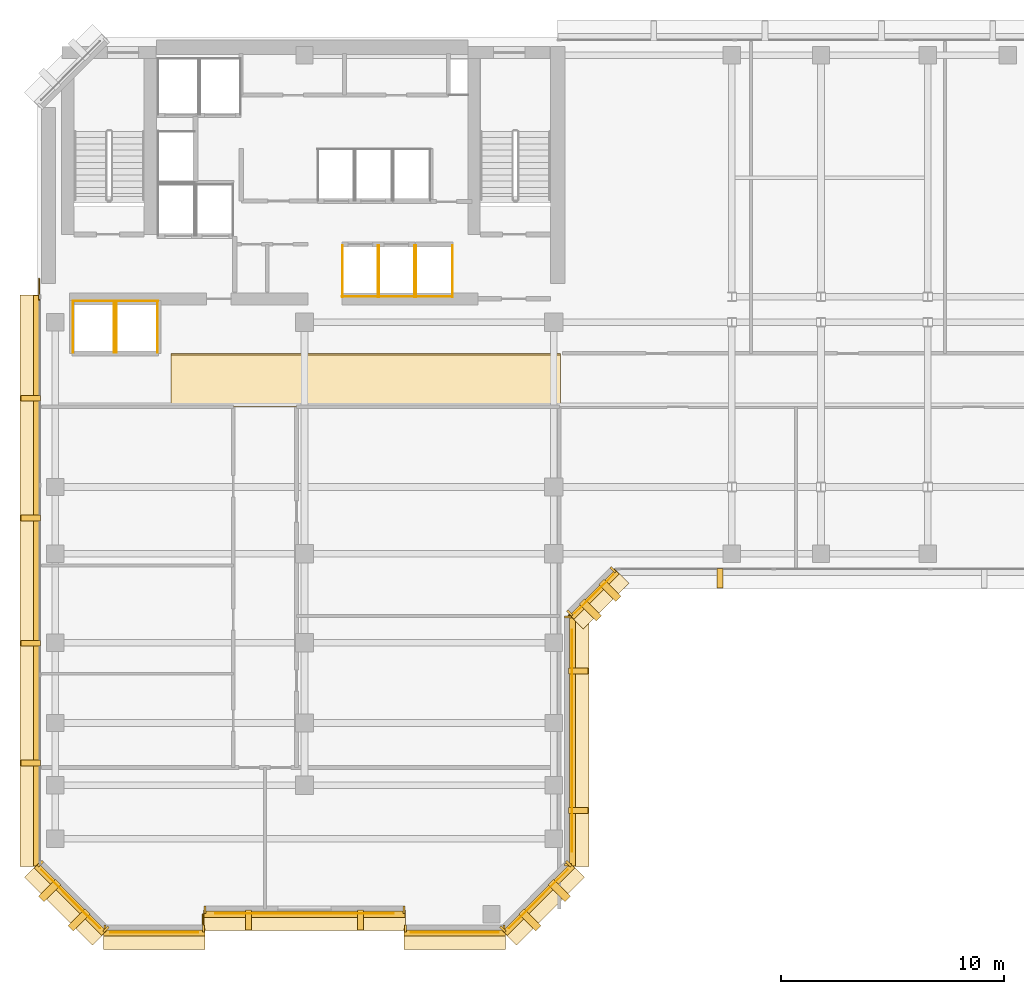
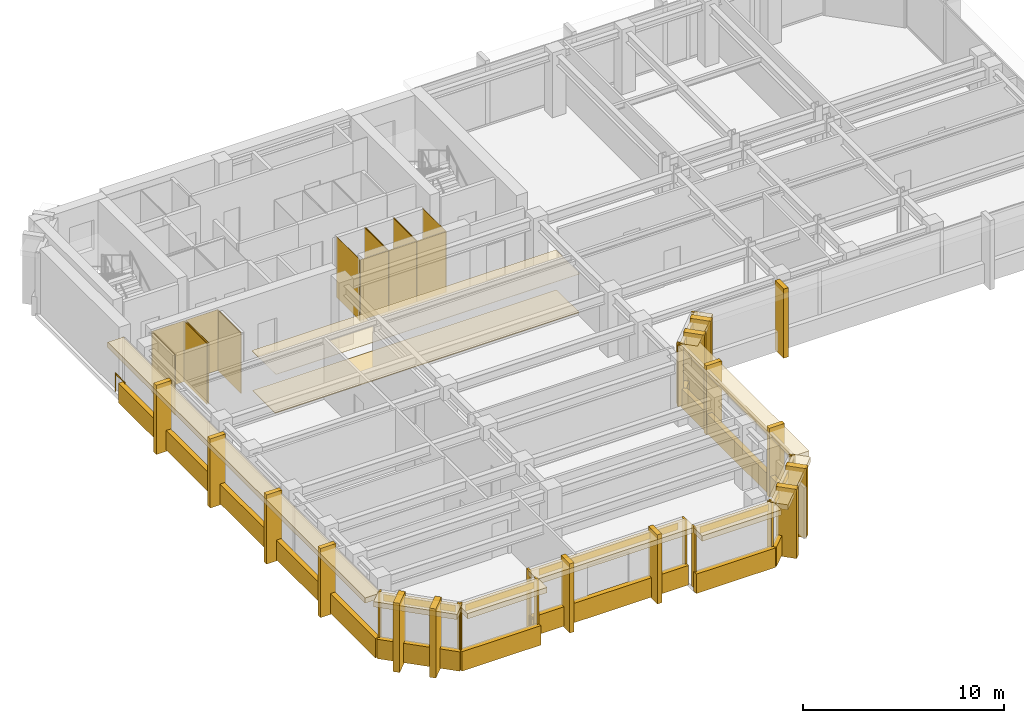
# One storey, part 9 of 12: 69 coverings, 2 railings.
"""IFC4 building model written with IfcOpenShell, lengths in metres."""

from ifc_helpers import new_model, si_unit, direction, frame, origin, origin_2d, place, context, subcontext, project, spatial, polyline, rectangle, circle, outline, extrude, material, layer, layer_set, type_object, element, save


model = new_model("IFC4")

# Units and contexts
model_context = context("Model", 3, precision=1e-05, world=origin(), true_north=direction((0.0, 1.0)))
body_context = subcontext(model_context, "Body", "Model", "MODEL_VIEW")
ifc_project = project(units=[si_unit("LENGTHUNIT", "METRE"), si_unit("AREAUNIT", "SQUARE_METRE"), si_unit("VOLUMEUNIT", "CUBIC_METRE"), si_unit("PLANEANGLEUNIT", "RADIAN"), si_unit("MASSUNIT", "GRAM", prefix="KILO")], contexts=[model_context])

# Site, building, storey
site_placement = place(None, origin())
site = spatial("IfcSite", under=ifc_project, at=site_placement, CompositionType="ELEMENT")
building_placement = place(site_placement, origin())
building = spatial("IfcBuilding", under=site, at=building_placement, Name="Kefirva Bronze Tower", CompositionType="ELEMENT")
storey_placement = place(building_placement, frame((0.0, 0.0, 199.320068359375)))
storey = spatial("IfcBuildingStorey", under=building, at=storey_placement, Name="L48", CompositionType="ELEMENT", Elevation=199.320068359375)

# Coverings
ifc_material_1 = material(Name="Acoustic mineral tile")
ifc_layer_1 = layer(ifc_material_1, 0.02490234375, Name="Acoustic mineral tile")
ifc_layer_set_1 = layer_set([ifc_layer_1], Name="Acoustic mineral tile")
covering_type_1 = type_object("IfcCoveringType", Name="Acoustic Mineral Suspended Ceiling 25mm", PredefinedType="CEILING", material=ifc_layer_set_1)
covering_1_placement = place(storey_placement, frame((0.0, 0.0, 2.39990234375)))
element("IfcCovering", 1, at=covering_1_placement, inside=storey, type_object=covering_type_1, Name="L48 Corridor Acoustic Ceiling", PredefinedType="CEILING", context=body_context, shape_type="SweptSolid", body=[
    extrude(outline(polyline([(6.0, 29.39990234375), (23.5, 29.39990234375), (23.5, 31.800048828125), (6.0, 31.800048828125), (6.0, 29.39990234375)])), origin(), (0.0, 0.0, 1.0), 0.025146484375),
])
ifc_material_2 = material(Name="Bronze anodised aluminium", Category="aluminium")
ifc_layer_2 = layer(ifc_material_2, 0.02001953125, Name="Bronze anodised aluminium")
ifc_layer_set_2 = layer_set([ifc_layer_2], Name="Bronze anodised aluminium")
covering_type_2 = type_object("IfcCoveringType", Name="Anodised Bronze Spandrel Cladding 20mm", PredefinedType="CLADDING", material=ifc_layer_set_2)
covering_2_placement = place(storey_placement, frame((5.25, 5.7900390625, 3.2900390625), z_axis=(0.0, 0.0, 1.0), x_axis=(1.0, 0.0, 0.0)))
element("IfcCovering", 2, at=covering_2_placement, inside=storey, type_object=covering_type_2, Name="L48 Bronze Spandrel Cladding 1", PredefinedType="CLADDING", context=body_context, shape_type="SweptSolid", body=[
    extrude(rectangle(XDim=3.950927734375, YDim=0.02001953125, at=origin_2d()), origin(), (0.0, 0.0, 1.0), 0.39990234375),
])
for number, where, z_axis, x_axis, name in (
    (3, (3.034912109375, 5.9599609375, 0.0), (0.0, 0.0, 1.0), (1.0, 0.0, 0.0), "L48 Facade Joint Closure Panel 1S"),
    (4, (7.465087890625, 5.9599609375, 0.0), (0.0, 0.0, 1.0), (1.0, 0.0, 0.0), "L48 Facade Joint Closure Panel 1E"),
):
    element("IfcCovering", number, at=place(storey_placement, frame(where, z_axis=z_axis, x_axis=x_axis)), inside=storey, type_object=covering_type_2, Name=name, PredefinedType="CLADDING", context=body_context, shape_type="SweptSolid", body=[
        extrude(rectangle(XDim=0.10009765625, YDim=0.320068359375, at=origin_2d()), origin(), (0.0, 0.0, 1.0), 3.7099609375),
    ])
covering_3_placement = place(storey_placement, frame((5.25, 5.760009765625, -0.16015625), z_axis=(0.0, 0.0, 1.0), x_axis=(1.0, 0.0, 0.0)))
element("IfcCovering", 5, at=covering_3_placement, inside=storey, type_object=covering_type_2, Name="L48 Streamline Horizontal Spandrel Band 0", PredefinedType="CLADDING", context=body_context, shape_type="SweptSolid", body=[
    extrude(rectangle(XDim=4.5400390625, YDim=0.280029296875, at=origin_2d()), origin(), (0.0, 0.0, 1.0), 1.179931640625),
])
covering_4_placement = place(storey_placement, frame((12.0, 6.639892578125, 3.2900390625), z_axis=(0.0, 0.0, 1.0), x_axis=(1.0, 0.0, 0.0)))
element("IfcCovering", 6, at=covering_4_placement, inside=storey, type_object=covering_type_2, Name="L48 Bronze Spandrel Cladding 2", PredefinedType="CLADDING", context=body_context, shape_type="SweptSolid", body=[
    extrude(rectangle(XDim=8.0009765625, YDim=0.02001953125, at=origin_2d()), origin(), (0.0, 0.0, 1.0), 0.39990234375),
])
for number, where, z_axis, x_axis, name in (
    (7, (7.534912109375, 6.81005859375, 0.0), (0.0, 0.0, 1.0), (1.0, 0.0, 0.0), "L48 Facade Joint Closure Panel 2S"),
    (8, (16.465087890625, 6.81005859375, 0.0), (0.0, 0.0, 1.0), (1.0, 0.0, 0.0), "L48 Facade Joint Closure Panel 2E"),
):
    element("IfcCovering", number, at=place(storey_placement, frame(where, z_axis=z_axis, x_axis=x_axis)), inside=storey, type_object=covering_type_2, Name=name, PredefinedType="CLADDING", context=body_context, shape_type="SweptSolid", body=[
        extrude(rectangle(XDim=0.10009765625, YDim=0.320068359375, at=origin_2d()), origin(), (0.0, 0.0, 1.0), 3.7099609375),
    ])
covering_5_placement = place(storey_placement, frame((12.0, 6.610107421875, -0.16015625), z_axis=(0.0, 0.0, 1.0), x_axis=(1.0, 0.0, 0.0)))
element("IfcCovering", 9, at=covering_5_placement, inside=storey, type_object=covering_type_2, Name="L48 Streamline Horizontal Spandrel Band 2", PredefinedType="CLADDING", context=body_context, shape_type="SweptSolid", body=[
    extrude(rectangle(XDim=9.0400390625, YDim=0.280029296875, at=origin_2d()), origin(), (0.0, 0.0, 1.0), 1.179931640625),
])
covering_6_placement = place(storey_placement, frame((18.75, 5.7900390625, 3.2900390625), z_axis=(0.0, 0.0, 1.0), x_axis=(1.0, 0.0, 0.0)))
element("IfcCovering", 10, at=covering_6_placement, inside=storey, type_object=covering_type_2, Name="L48 Bronze Spandrel Cladding 3", PredefinedType="CLADDING", context=body_context, shape_type="SweptSolid", body=[
    extrude(rectangle(XDim=3.950927734375, YDim=0.02001953125, at=origin_2d()), origin(), (0.0, 0.0, 1.0), 0.39990234375),
])
for number, where, z_axis, x_axis, name in (
    (11, (16.534912109375, 5.9599609375, 0.0), (0.0, 0.0, 1.0), (1.0, 0.0, 0.0), "L48 Facade Joint Closure Panel 3S"),
    (12, (20.965087890625, 5.9599609375, 0.0), (0.0, 0.0, 1.0), (1.0, 0.0, 0.0), "L48 Facade Joint Closure Panel 3E"),
):
    element("IfcCovering", number, at=place(storey_placement, frame(where, z_axis=z_axis, x_axis=x_axis)), inside=storey, type_object=covering_type_2, Name=name, PredefinedType="CLADDING", context=body_context, shape_type="SweptSolid", body=[
        extrude(rectangle(XDim=0.10009765625, YDim=0.320068359375, at=origin_2d()), origin(), (0.0, 0.0, 1.0), 3.7099609375),
    ])
covering_7_placement = place(storey_placement, frame((18.75, 5.760009765625, -0.16015625), z_axis=(0.0, 0.0, 1.0), x_axis=(1.0, 0.0, 0.0)))
element("IfcCovering", 13, at=covering_7_placement, inside=storey, type_object=covering_type_2, Name="L48 Streamline Horizontal Spandrel Band 4", PredefinedType="CLADDING", context=body_context, shape_type="SweptSolid", body=[
    extrude(rectangle(XDim=4.5400390625, YDim=0.280029296875, at=origin_2d()), origin(), (0.0, 0.0, 1.0), 1.179931640625),
])
covering_8_placement = place(storey_placement, frame((22.507080078125, 7.29296875, 3.2900390625), z_axis=(0.0, 0.0, 1.0), x_axis=(0.707106781187, 0.707106781187, 0.0)))
element("IfcCovering", 14, at=covering_8_placement, inside=storey, type_object=covering_type_2, Name="L48 Bronze Spandrel Cladding 4", PredefinedType="CLADDING", context=body_context, shape_type="SweptSolid", body=[
    extrude(rectangle(XDim=3.719482421875, YDim=0.02001953125, at=origin_2d()), origin(), (0.0, 0.0, 1.0), 0.39990234375),
])
for number, where, z_axis, x_axis, name in (
    (15, (20.91162109375, 5.93798828125, 0.0), (0.0, 0.0, 1.0), (0.707106781187, 0.707106781187, 0.0), "L48 Facade Joint Closure Panel 4S"),
    (16, (23.862060546875, 8.88818359375, 0.0), (0.0, 0.0, 1.0), (0.707106781187, 0.707106781187, 0.0), "L48 Facade Joint Closure Panel 4E"),
):
    element("IfcCovering", number, at=place(storey_placement, frame(where, z_axis=z_axis, x_axis=x_axis)), inside=storey, type_object=covering_type_2, Name=name, PredefinedType="CLADDING", context=body_context, shape_type="SweptSolid", body=[
        extrude(rectangle(XDim=0.10009765625, YDim=0.320068359375, at=origin_2d()), origin(), (0.0, 0.0, 1.0), 3.7099609375),
    ])
covering_9_placement = place(storey_placement, frame((22.5283203125, 7.271728515625, -0.16015625), z_axis=(0.0, 0.0, 1.0), x_axis=(0.707106781187, 0.707106781187, 0.0)))
element("IfcCovering", 17, at=covering_9_placement, inside=storey, type_object=covering_type_2, Name="L48 Streamline Horizontal Spandrel Band 5", PredefinedType="CLADDING", context=body_context, shape_type="SweptSolid", body=[
    extrude(rectangle(XDim=4.28271484375, YDim=0.280029296875, at=origin_2d()), origin(), (0.0, 0.0, 1.0), 1.179931640625),
])
covering_10_placement = place(storey_placement, frame((24.010009765625, 14.39990234375, 3.2900390625), z_axis=(0.0, 0.0, 1.0), x_axis=(0.0, 1.0, 0.0)))
element("IfcCovering", 18, at=covering_10_placement, inside=storey, type_object=covering_type_2, Name="L48 Bronze Spandrel Cladding 5", PredefinedType="CLADDING", context=body_context, shape_type="SweptSolid", body=[
    extrude(rectangle(XDim=9.98095703125, YDim=0.02001953125, at=origin_2d()), origin(), (0.0, 0.0, 1.0), 0.39990234375),
])
for number, where, z_axis, x_axis, name in (
    (19, (23.840087890625, 8.8349609375, 0.0), (0.0, 0.0, 1.0), (0.0, 1.0, 0.0), "L48 Facade Joint Closure Panel 5S"),
    (20, (23.840087890625, 19.965087890625, 0.0), (0.0, 0.0, 1.0), (0.0, 1.0, 0.0), "L48 Facade Joint Closure Panel 5E"),
):
    element("IfcCovering", number, at=place(storey_placement, frame(where, z_axis=z_axis, x_axis=x_axis)), inside=storey, type_object=covering_type_2, Name=name, PredefinedType="CLADDING", context=body_context, shape_type="SweptSolid", body=[
        extrude(rectangle(XDim=0.10009765625, YDim=0.320068359375, at=origin_2d()), origin(), (0.0, 0.0, 1.0), 3.7099609375),
    ])
covering_11_placement = place(storey_placement, frame((24.0400390625, 14.39990234375, -0.16015625), z_axis=(0.0, 0.0, 1.0), x_axis=(0.0, 1.0, 0.0)))
element("IfcCovering", 21, at=covering_11_placement, inside=storey, type_object=covering_type_2, Name="L48 Streamline Horizontal Spandrel Band 6", PredefinedType="CLADDING", context=body_context, shape_type="SweptSolid", body=[
    extrude(rectangle(XDim=11.239990234375, YDim=0.280029296875, at=origin_2d()), origin(), (0.0, 0.0, 1.0), 1.179931640625),
])
covering_12_placement = place(storey_placement, frame((25.007080078125, 20.992919921875, 3.2900390625), z_axis=(0.0, 0.0, 1.0), x_axis=(0.707106781187, 0.707106781187, 0.0)))
element("IfcCovering", 22, at=covering_12_placement, inside=storey, type_object=covering_type_2, Name="L48 Bronze Spandrel Cladding 6", PredefinedType="CLADDING", context=body_context, shape_type="SweptSolid", body=[
    extrude(rectangle(XDim=2.446533203125, YDim=0.02001953125, at=origin_2d()), origin(), (0.0, 0.0, 1.0), 0.39990234375),
])
for number, where, z_axis, x_axis, name in (
    (23, (23.91162109375, 20.137939453125, 0.0), (0.0, 0.0, 1.0), (0.707106781187, 0.707106781187, 0.0), "L48 Facade Joint Closure Panel 6S"),
    (24, (25.862060546875, 22.08837890625, 0.0), (0.0, 0.0, 1.0), (0.707106781187, 0.707106781187, 0.0), "L48 Facade Joint Closure Panel 6E"),
):
    element("IfcCovering", number, at=place(storey_placement, frame(where, z_axis=z_axis, x_axis=x_axis)), inside=storey, type_object=covering_type_2, Name=name, PredefinedType="CLADDING", context=body_context, shape_type="SweptSolid", body=[
        extrude(rectangle(XDim=0.10009765625, YDim=0.320068359375, at=origin_2d()), origin(), (0.0, 0.0, 1.0), 3.7099609375),
    ])
covering_13_placement = place(storey_placement, frame((25.0283203125, 20.9716796875, -0.16015625), z_axis=(0.0, 0.0, 1.0), x_axis=(0.707106781187, 0.707106781187, 0.0)))
element("IfcCovering", 25, at=covering_13_placement, inside=storey, type_object=covering_type_2, Name="L48 Streamline Horizontal Spandrel Band 7", PredefinedType="CLADDING", context=body_context, shape_type="SweptSolid", body=[
    extrude(rectangle(XDim=2.868408203125, YDim=0.280029296875, at=origin_2d()), origin(), (0.0, 0.0, 1.0), 1.179931640625),
])
covering_14_placement = place(storey_placement, frame((-0.0400390625, 21.597412109375, -0.16015625), z_axis=(0.0, 0.0, 1.0), x_axis=(0.0, -1.0, 0.0)))
element("IfcCovering", 26, at=covering_14_placement, inside=storey, type_object=covering_type_2, Name="L48 Streamline Horizontal Spandrel Band 14", PredefinedType="CLADDING", context=body_context, shape_type="SweptSolid", body=[
    extrude(rectangle(XDim=25.635009765625, YDim=0.280029296875, at=origin_2d()), origin(), (0.0, 0.0, 1.0), 1.179931640625),
])
covering_15_placement = place(storey_placement, frame((1.492919921875, 7.29296875, 3.2900390625), z_axis=(0.0, 0.0, 1.0), x_axis=(0.707106781187, -0.707106781187, 0.0)))
element("IfcCovering", 27, at=covering_15_placement, inside=storey, type_object=covering_type_2, Name="L48 Bronze Spandrel Cladding 10", PredefinedType="CLADDING", context=body_context, shape_type="SweptSolid", body=[
    extrude(rectangle(XDim=3.719482421875, YDim=0.02001953125, at=origin_2d()), origin(), (0.0, 0.0, 1.0), 0.39990234375),
])
for number, where, z_axis, x_axis, name in (
    (28, (0.137939453125, 8.88818359375, 0.0), (0.0, 0.0, 1.0), (0.707106781187, -0.707106781187, 0.0), "L48 Facade Joint Closure Panel 10S"),
    (29, (3.08837890625, 5.93798828125, 0.0), (0.0, 0.0, 1.0), (0.707106781187, -0.707106781187, 0.0), "L48 Facade Joint Closure Panel 10E"),
):
    element("IfcCovering", number, at=place(storey_placement, frame(where, z_axis=z_axis, x_axis=x_axis)), inside=storey, type_object=covering_type_2, Name=name, PredefinedType="CLADDING", context=body_context, shape_type="SweptSolid", body=[
        extrude(rectangle(XDim=0.10009765625, YDim=0.320068359375, at=origin_2d()), origin(), (0.0, 0.0, 1.0), 3.7099609375),
    ])
covering_16_placement = place(storey_placement, frame((1.4716796875, 7.271728515625, -0.16015625), z_axis=(0.0, 0.0, 1.0), x_axis=(0.707106781187, -0.707106781187, 0.0)))
element("IfcCovering", 30, at=covering_16_placement, inside=storey, type_object=covering_type_2, Name="L48 Streamline Horizontal Spandrel Band 15", PredefinedType="CLADDING", context=body_context, shape_type="SweptSolid", body=[
    extrude(rectangle(XDim=4.28271484375, YDim=0.280029296875, at=origin_2d()), origin(), (0.0, 0.0, 1.0), 1.179931640625),
])
covering_17_placement = place(storey_placement, origin())
element("IfcCovering", 31, at=covering_17_placement, inside=storey, type_object=covering_type_2, Name="L48 Lift OB1 Hoistway Liner N", PredefinedType="CLADDING", context=body_context, shape_type="SweptSolid", body=[
    extrude(outline(polyline([(1.580078125, 34.139892578125), (3.469970703125, 34.139892578125), (3.469970703125, 34.159912109375), (1.580078125, 34.159912109375), (1.580078125, 34.139892578125)])), origin(), (0.0, 0.0, 1.0), 3.7099609375),
])
covering_18_placement = place(storey_placement, origin())
element("IfcCovering", 32, at=covering_18_placement, inside=storey, type_object=covering_type_2, Name="L48 Lift OB1 Hoistway Liner W", PredefinedType="CLADDING", context=body_context, shape_type="SweptSolid", body=[
    extrude(outline(polyline([(1.590087890625, 31.830078125), (1.610107421875, 31.830078125), (1.610107421875, 34.169921875), (1.590087890625, 34.169921875), (1.590087890625, 31.830078125)])), origin(), (0.0, 0.0, 1.0), 3.7099609375),
])
covering_19_placement = place(storey_placement, origin())
element("IfcCovering", 33, at=covering_19_placement, inside=storey, type_object=covering_type_2, Name="L48 Lift OB1 Hoistway Liner E", PredefinedType="CLADDING", context=body_context, shape_type="SweptSolid", body=[
    extrude(outline(polyline([(3.43994140625, 31.830078125), (3.4599609375, 31.830078125), (3.4599609375, 34.169921875), (3.43994140625, 34.169921875), (3.43994140625, 31.830078125)])), origin(), (0.0, 0.0, 1.0), 3.7099609375),
])
covering_20_placement = place(storey_placement, origin())
element("IfcCovering", 34, at=covering_20_placement, inside=storey, type_object=covering_type_2, Name="L48 Lift OB2 Hoistway Liner N", PredefinedType="CLADDING", context=body_context, shape_type="SweptSolid", body=[
    extrude(outline(polyline([(3.530029296875, 34.139892578125), (5.419921875, 34.139892578125), (5.419921875, 34.159912109375), (3.530029296875, 34.159912109375), (3.530029296875, 34.139892578125)])), origin(), (0.0, 0.0, 1.0), 3.7099609375),
])
covering_21_placement = place(storey_placement, origin())
element("IfcCovering", 35, at=covering_21_placement, inside=storey, type_object=covering_type_2, Name="L48 Lift OB2 Hoistway Liner W", PredefinedType="CLADDING", context=body_context, shape_type="SweptSolid", body=[
    extrude(outline(polyline([(3.5400390625, 31.830078125), (3.56005859375, 31.830078125), (3.56005859375, 34.169921875), (3.5400390625, 34.169921875), (3.5400390625, 31.830078125)])), origin(), (0.0, 0.0, 1.0), 3.7099609375),
])
covering_22_placement = place(storey_placement, origin())
element("IfcCovering", 36, at=covering_22_placement, inside=storey, type_object=covering_type_2, Name="L48 Lift OB2 Hoistway Liner E", PredefinedType="CLADDING", context=body_context, shape_type="SweptSolid", body=[
    extrude(outline(polyline([(5.389892578125, 31.830078125), (5.409912109375, 31.830078125), (5.409912109375, 34.169921875), (5.389892578125, 34.169921875), (5.389892578125, 31.830078125)])), origin(), (0.0, 0.0, 1.0), 3.7099609375),
])
covering_23_placement = place(storey_placement, origin())
element("IfcCovering", 37, at=covering_23_placement, inside=storey, type_object=covering_type_2, Name="L48 Lift MP1 Hoistway Liner S", PredefinedType="CLADDING", context=body_context, shape_type="SweptSolid", body=[
    extrude(outline(polyline([(13.679931640625, 34.340087890625), (15.320068359375, 34.340087890625), (15.320068359375, 34.360107421875), (13.679931640625, 34.360107421875), (13.679931640625, 34.340087890625)])), origin(), (0.0, 0.0, 1.0), 3.7099609375),
])
covering_24_placement = place(storey_placement, origin())
element("IfcCovering", 38, at=covering_24_placement, inside=storey, type_object=covering_type_2, Name="L48 Lift MP1 Hoistway Liner W", PredefinedType="CLADDING", context=body_context, shape_type="SweptSolid", body=[
    extrude(outline(polyline([(13.68994140625, 34.330078125), (13.7099609375, 34.330078125), (13.7099609375, 36.669921875), (13.68994140625, 36.669921875), (13.68994140625, 34.330078125)])), origin(), (0.0, 0.0, 1.0), 3.7099609375),
])
covering_25_placement = place(storey_placement, origin())
element("IfcCovering", 39, at=covering_25_placement, inside=storey, type_object=covering_type_2, Name="L48 Lift MP1 Hoistway Liner E", PredefinedType="CLADDING", context=body_context, shape_type="SweptSolid", body=[
    extrude(outline(polyline([(15.2900390625, 34.330078125), (15.31005859375, 34.330078125), (15.31005859375, 36.669921875), (15.2900390625, 36.669921875), (15.2900390625, 34.330078125)])), origin(), (0.0, 0.0, 1.0), 3.7099609375),
])
covering_26_placement = place(storey_placement, origin())
element("IfcCovering", 40, at=covering_26_placement, inside=storey, type_object=covering_type_2, Name="L48 Lift MP2 Hoistway Liner S", PredefinedType="CLADDING", context=body_context, shape_type="SweptSolid", body=[
    extrude(outline(polyline([(15.330078125, 34.340087890625), (16.969970703125, 34.340087890625), (16.969970703125, 34.360107421875), (15.330078125, 34.360107421875), (15.330078125, 34.340087890625)])), origin(), (0.0, 0.0, 1.0), 3.7099609375),
])
covering_27_placement = place(storey_placement, origin())
element("IfcCovering", 41, at=covering_27_placement, inside=storey, type_object=covering_type_2, Name="L48 Lift MP2 Hoistway Liner W", PredefinedType="CLADDING", context=body_context, shape_type="SweptSolid", body=[
    extrude(outline(polyline([(15.340087890625, 34.330078125), (15.360107421875, 34.330078125), (15.360107421875, 36.669921875), (15.340087890625, 36.669921875), (15.340087890625, 34.330078125)])), origin(), (0.0, 0.0, 1.0), 3.7099609375),
])
covering_28_placement = place(storey_placement, origin())
element("IfcCovering", 42, at=covering_28_placement, inside=storey, type_object=covering_type_2, Name="L48 Lift MP2 Hoistway Liner E", PredefinedType="CLADDING", context=body_context, shape_type="SweptSolid", body=[
    extrude(outline(polyline([(16.93994140625, 34.330078125), (16.9599609375, 34.330078125), (16.9599609375, 36.669921875), (16.93994140625, 36.669921875), (16.93994140625, 34.330078125)])), origin(), (0.0, 0.0, 1.0), 3.7099609375),
])
covering_29_placement = place(storey_placement, origin())
element("IfcCovering", 43, at=covering_29_placement, inside=storey, type_object=covering_type_2, Name="L48 Lift HP1 Hoistway Liner S", PredefinedType="CLADDING", context=body_context, shape_type="SweptSolid", body=[
    extrude(outline(polyline([(16.97998046875, 34.340087890625), (18.669921875, 34.340087890625), (18.669921875, 34.360107421875), (16.97998046875, 34.360107421875), (16.97998046875, 34.340087890625)])), origin(), (0.0, 0.0, 1.0), 3.7099609375),
])
covering_30_placement = place(storey_placement, origin())
element("IfcCovering", 44, at=covering_30_placement, inside=storey, type_object=covering_type_2, Name="L48 Lift HP1 Hoistway Liner W", PredefinedType="CLADDING", context=body_context, shape_type="SweptSolid", body=[
    extrude(outline(polyline([(16.989990234375, 34.330078125), (17.010009765625, 34.330078125), (17.010009765625, 36.669921875), (16.989990234375, 36.669921875), (16.989990234375, 34.330078125)])), origin(), (0.0, 0.0, 1.0), 3.7099609375),
])
covering_31_placement = place(storey_placement, origin())
element("IfcCovering", 45, at=covering_31_placement, inside=storey, type_object=covering_type_2, Name="L48 Lift HP1 Hoistway Liner E", PredefinedType="CLADDING", context=body_context, shape_type="SweptSolid", body=[
    extrude(outline(polyline([(18.639892578125, 34.330078125), (18.659912109375, 34.330078125), (18.659912109375, 36.669921875), (18.639892578125, 36.669921875), (18.639892578125, 34.330078125)])), origin(), (0.0, 0.0, 1.0), 3.7099609375),
])

# Railings
ifc_material_3 = material(Name="Stainless steel 316", Category="steel")
railing_type = type_object("IfcRailingType", Name="Interior Stair Guardrail 1100mm", PredefinedType="GUARDRAIL", material=ifc_material_3)
railing_1_placement = place(storey_placement, frame((0.080078125, 34.199951171875, 0.0)))
element("IfcRailing", 46, at=railing_1_placement, inside=storey, type_object=railing_type, Name="L48 West Core Junction Guardrail", PredefinedType="GUARDRAIL", context=body_context, shape_type="SweptSolid", body=[
    extrude(circle(Radius=0.02392578125, at=origin_2d()), frame((0.0, 0.0, 1.076171875), z_axis=(0.0, 1.0, 0.0), x_axis=(-1.0, 0.0, 0.0)), (0.0, 0.0, 1.0), 0.949951171875),
    extrude(circle(Radius=0.02099609375, at=origin_2d()), origin(), (0.0, 0.0, 1.0), 1.052001953125),
    extrude(circle(Radius=0.02099609375, at=origin_2d()), frame((0.0, 0.949951171875, 0.0)), (0.0, 0.0, 1.0), 1.052001953125),
])
railing_2_placement = place(storey_placement, frame((7.43994140625, 6.14990234375, 0.0)))
element("IfcRailing", 47, at=railing_2_placement, inside=storey, type_object=railing_type, Name="L48 Setback Corner Guardrail SB1", PredefinedType="GUARDRAIL", context=body_context, shape_type="SweptSolid", body=[
    extrude(circle(Radius=0.02392578125, at=origin_2d()), frame((0.0, 0.0, 1.076171875), z_axis=(0.0, 1.0, 0.0), x_axis=(-1.0, 0.0, 0.0)), (0.0, 0.0, 1.0), 0.4501953125),
    extrude(circle(Radius=0.02099609375, at=origin_2d()), origin(), (0.0, 0.0, 1.0), 1.052001953125),
    extrude(circle(Radius=0.02099609375, at=origin_2d()), frame((0.0, 0.4501953125, 0.0)), (0.0, 0.0, 1.0), 1.052001953125),
])

# Coverings
ifc_material_4 = material(Name="Calcium sulphate access tile")
ifc_layer_3 = layer(ifc_material_4, 0.044921875, Name="Calcium sulphate access tile")
ifc_layer_set_3 = layer_set([ifc_layer_3], Name="Calcium sulphate access tile")
covering_type_3 = type_object("IfcCoveringType", Name="Raised Access Office Flooring 45mm", PredefinedType="FLOORING", material=ifc_layer_set_3)
covering_32_placement = place(storey_placement, origin())
element("IfcCovering", 48, at=covering_32_placement, inside=storey, type_object=covering_type_3, Name="L48 Architectural Finish Flooring", PredefinedType="FLOORING", context=body_context, shape_type="SweptSolid", body=[
    extrude(outline(polyline([(6.0, 29.47998046875), (23.5, 29.47998046875), (23.5, 31.719970703125), (6.0, 31.719970703125), (6.0, 29.47998046875)])), origin(), (0.0, 0.0, 1.0), 0.044921875),
])
ifc_layer_4 = layer(ifc_material_2, 0.179931640625, Name="Bronze anodised aluminium")
ifc_layer_set_4 = layer_set([ifc_layer_4], Name="Bronze anodised aluminium")
covering_type_4 = type_object("IfcCoveringType", Name="Streamline Bronze Sunshade Eyebrow Cladding 180mm", PredefinedType="CLADDING", material=ifc_layer_set_4)
covering_33_placement = place(storey_placement, frame((5.25, 5.489990234375, 3.39013671875), z_axis=(0.0, 0.0, 1.0), x_axis=(1.0, 0.0, 0.0)))
element("IfcCovering", 49, at=covering_33_placement, inside=storey, type_object=covering_type_4, Name="L48 Streamline Bronze Sunshade Eyebrow 0", PredefinedType="CLADDING", context=body_context, shape_type="SweptSolid", body=[
    extrude(rectangle(XDim=4.580078125, YDim=0.93994140625, at=origin_2d()), origin(), (0.0, 0.0, 1.0), 0.320068359375),
])
covering_34_placement = place(storey_placement, frame((12.0, 6.340087890625, 3.39013671875), z_axis=(0.0, 0.0, 1.0), x_axis=(1.0, 0.0, 0.0)))
element("IfcCovering", 50, at=covering_34_placement, inside=storey, type_object=covering_type_4, Name="L48 Streamline Bronze Sunshade Eyebrow 2", PredefinedType="CLADDING", context=body_context, shape_type="SweptSolid", body=[
    extrude(rectangle(XDim=9.080078125, YDim=0.93994140625, at=origin_2d()), origin(), (0.0, 0.0, 1.0), 0.320068359375),
])
covering_35_placement = place(storey_placement, frame((18.75, 5.489990234375, 3.39013671875), z_axis=(0.0, 0.0, 1.0), x_axis=(1.0, 0.0, 0.0)))
element("IfcCovering", 51, at=covering_35_placement, inside=storey, type_object=covering_type_4, Name="L48 Streamline Bronze Sunshade Eyebrow 4", PredefinedType="CLADDING", context=body_context, shape_type="SweptSolid", body=[
    extrude(rectangle(XDim=4.580078125, YDim=0.93994140625, at=origin_2d()), origin(), (0.0, 0.0, 1.0), 0.320068359375),
])
covering_36_placement = place(storey_placement, frame((22.71923828125, 7.080810546875, 3.39013671875), z_axis=(0.0, 0.0, 1.0), x_axis=(0.707106781187, 0.707106781187, 0.0)))
element("IfcCovering", 52, at=covering_36_placement, inside=storey, type_object=covering_type_4, Name="L48 Streamline Bronze Sunshade Eyebrow 5", PredefinedType="CLADDING", context=body_context, shape_type="SweptSolid", body=[
    extrude(rectangle(XDim=4.322509765625, YDim=0.93994140625, at=origin_2d()), origin(), (0.0, 0.0, 1.0), 0.320068359375),
])
covering_37_placement = place(storey_placement, frame((24.31005859375, 14.39990234375, 3.39013671875), z_axis=(0.0, 0.0, 1.0), x_axis=(0.0, 1.0, 0.0)))
element("IfcCovering", 53, at=covering_37_placement, inside=storey, type_object=covering_type_4, Name="L48 Streamline Bronze Sunshade Eyebrow 6", PredefinedType="CLADDING", context=body_context, shape_type="SweptSolid", body=[
    extrude(rectangle(XDim=11.280029296875, YDim=0.93994140625, at=origin_2d()), origin(), (0.0, 0.0, 1.0), 0.320068359375),
])
covering_38_placement = place(storey_placement, frame((25.21923828125, 20.78076171875, 3.39013671875), z_axis=(0.0, 0.0, 1.0), x_axis=(0.707106781187, 0.707106781187, 0.0)))
element("IfcCovering", 54, at=covering_38_placement, inside=storey, type_object=covering_type_4, Name="L48 Streamline Bronze Sunshade Eyebrow 7", PredefinedType="CLADDING", context=body_context, shape_type="SweptSolid", body=[
    extrude(rectangle(XDim=2.908447265625, YDim=0.93994140625, at=origin_2d()), origin(), (0.0, 0.0, 1.0), 0.320068359375),
])
covering_39_placement = place(storey_placement, frame((-0.31005859375, 21.597412109375, 3.39013671875), z_axis=(0.0, 0.0, 1.0), x_axis=(0.0, -1.0, 0.0)))
element("IfcCovering", 55, at=covering_39_placement, inside=storey, type_object=covering_type_4, Name="L48 Streamline Bronze Sunshade Eyebrow 14", PredefinedType="CLADDING", context=body_context, shape_type="SweptSolid", body=[
    extrude(rectangle(XDim=25.675048828125, YDim=0.93994140625, at=origin_2d()), origin(), (0.0, 0.0, 1.0), 0.320068359375),
])
covering_40_placement = place(storey_placement, frame((1.28076171875, 7.080810546875, 3.39013671875), z_axis=(0.0, 0.0, 1.0), x_axis=(0.707106781187, -0.707106781187, 0.0)))
element("IfcCovering", 56, at=covering_40_placement, inside=storey, type_object=covering_type_4, Name="L48 Streamline Bronze Sunshade Eyebrow 15", PredefinedType="CLADDING", context=body_context, shape_type="SweptSolid", body=[
    extrude(rectangle(XDim=4.322509765625, YDim=0.93994140625, at=origin_2d()), origin(), (0.0, 0.0, 1.0), 0.320068359375),
])
ifc_layer_5 = layer(ifc_material_2, 0.260009765625, Name="Bronze anodised aluminium")
ifc_layer_set_5 = layer_set([ifc_layer_5], Name="Bronze anodised aluminium")
covering_type_5 = type_object("IfcCoveringType", Name="Unbroken Bronze Buttress Fin Cladding 260mm", PredefinedType="CLADDING", material=ifc_layer_set_5)
for number, where, z_axis, x_axis, name in (
    (57, (9.47998046875, 6.35009765625, -0.25), (0.0, 0.0, 1.0), (1.0, 0.0, 0.0), "L48 Unbroken Vertical Bronze Rib Fin 1"),
    (58, (14.52001953125, 6.35009765625, -0.25), (0.0, 0.0, 1.0), (1.0, 0.0, 0.0), "L48 Unbroken Vertical Bronze Rib Fin 2"),
):
    element("IfcCovering", number, at=place(storey_placement, frame(where, z_axis=z_axis, x_axis=x_axis)), inside=storey, type_object=covering_type_5, Name=name, PredefinedType="CLADDING", context=body_context, shape_type="SweptSolid", body=[
        extrude(rectangle(XDim=0.260009765625, YDim=0.8798828125, at=origin_2d()), origin(), (0.0, 0.0, 1.0), 4.2099609375),
    ])
for number, where, z_axis, x_axis, name in (
    (59, (22.122802734375, 6.357177734375, -0.25), (0.0, 0.0, 1.0), (0.707106781187, 0.707106781187, 0.0), "L48 Chamfered Corner Buttress Fin Cladding 3"),
    (60, (23.44287109375, 7.67724609375, -0.25), (0.0, 0.0, 1.0), (0.707106781187, 0.707106781187, 0.0), "L48 Chamfered Corner Buttress Fin Cladding 4"),
):
    element("IfcCovering", number, at=place(storey_placement, frame(where, z_axis=z_axis, x_axis=x_axis)), inside=storey, type_object=covering_type_5, Name=name, PredefinedType="CLADDING", context=body_context, shape_type="SweptSolid", body=[
        extrude(rectangle(XDim=0.340087890625, YDim=1.080078125, at=origin_2d()), origin(), (0.0, 0.0, 1.0), 4.2099609375),
    ])
for number, where, z_axis, x_axis, name in (
    (61, (24.300048828125, 11.263916015625, -0.25), (0.0, 0.0, 1.0), (0.0, 1.0, 0.0), "L48 Unbroken Vertical Bronze Rib Fin 5"),
    (62, (24.300048828125, 17.535888671875, -0.25), (0.0, 0.0, 1.0), (0.0, 1.0, 0.0), "L48 Unbroken Vertical Bronze Rib Fin 6"),
):
    element("IfcCovering", number, at=place(storey_placement, frame(where, z_axis=z_axis, x_axis=x_axis)), inside=storey, type_object=covering_type_5, Name=name, PredefinedType="CLADDING", context=body_context, shape_type="SweptSolid", body=[
        extrude(rectangle(XDim=0.260009765625, YDim=0.8798828125, at=origin_2d()), origin(), (0.0, 0.0, 1.0), 4.2099609375),
    ])
for number, where, z_axis, x_axis, name in (
    (63, (24.8427734375, 20.277099609375, -0.25), (0.0, 0.0, 1.0), (0.707106781187, 0.707106781187, 0.0), "L48 Chamfered Corner Buttress Fin Cladding 7"),
    (64, (25.722900390625, 21.1572265625, -0.25), (0.0, 0.0, 1.0), (0.707106781187, 0.707106781187, 0.0), "L48 Chamfered Corner Buttress Fin Cladding 8"),
):
    element("IfcCovering", number, at=place(storey_placement, frame(where, z_axis=z_axis, x_axis=x_axis)), inside=storey, type_object=covering_type_5, Name=name, PredefinedType="CLADDING", context=body_context, shape_type="SweptSolid", body=[
        extrude(rectangle(XDim=0.340087890625, YDim=1.080078125, at=origin_2d()), origin(), (0.0, 0.0, 1.0), 4.2099609375),
    ])
for number, where, z_axis, x_axis, name in (
    (65, (30.6640625, 21.699951171875, -0.25), (0.0, 0.0, 1.0), (1.0, 0.0, 0.0), "L48 Unbroken Vertical Bronze Rib Fin 9"),
    (66, (-0.300048828125, 29.787841796875, -0.25), (0.0, 0.0, 1.0), (0.0, -1.0, 0.0), "L48 Unbroken Vertical Bronze Rib Fin 23"),
    (67, (-0.300048828125, 24.4130859375, -0.25), (0.0, 0.0, 1.0), (0.0, -1.0, 0.0), "L48 Unbroken Vertical Bronze Rib Fin 24"),
    (68, (-0.300048828125, 18.781982421875, -0.25), (0.0, 0.0, 1.0), (0.0, -1.0, 0.0), "L48 Unbroken Vertical Bronze Rib Fin 25"),
    (69, (-0.300048828125, 13.406982421875, -0.25), (0.0, 0.0, 1.0), (0.0, -1.0, 0.0), "L48 Unbroken Vertical Bronze Rib Fin 26"),
):
    element("IfcCovering", number, at=place(storey_placement, frame(where, z_axis=z_axis, x_axis=x_axis)), inside=storey, type_object=covering_type_5, Name=name, PredefinedType="CLADDING", context=body_context, shape_type="SweptSolid", body=[
        extrude(rectangle(XDim=0.260009765625, YDim=0.8798828125, at=origin_2d()), origin(), (0.0, 0.0, 1.0), 4.2099609375),
    ])
for number, where, z_axis, x_axis, name in (
    (70, (0.55712890625, 7.67724609375, -0.25), (0.0, 0.0, 1.0), (0.707106781187, -0.707106781187, 0.0), "L48 Chamfered Corner Buttress Fin Cladding 27"),
    (71, (1.877197265625, 6.357177734375, -0.25), (0.0, 0.0, 1.0), (0.707106781187, -0.707106781187, 0.0), "L48 Chamfered Corner Buttress Fin Cladding 28"),
):
    element("IfcCovering", number, at=place(storey_placement, frame(where, z_axis=z_axis, x_axis=x_axis)), inside=storey, type_object=covering_type_5, Name=name, PredefinedType="CLADDING", context=body_context, shape_type="SweptSolid", body=[
        extrude(rectangle(XDim=0.340087890625, YDim=1.080078125, at=origin_2d()), origin(), (0.0, 0.0, 1.0), 4.2099609375),
    ])

save(model, "model.ifc")
